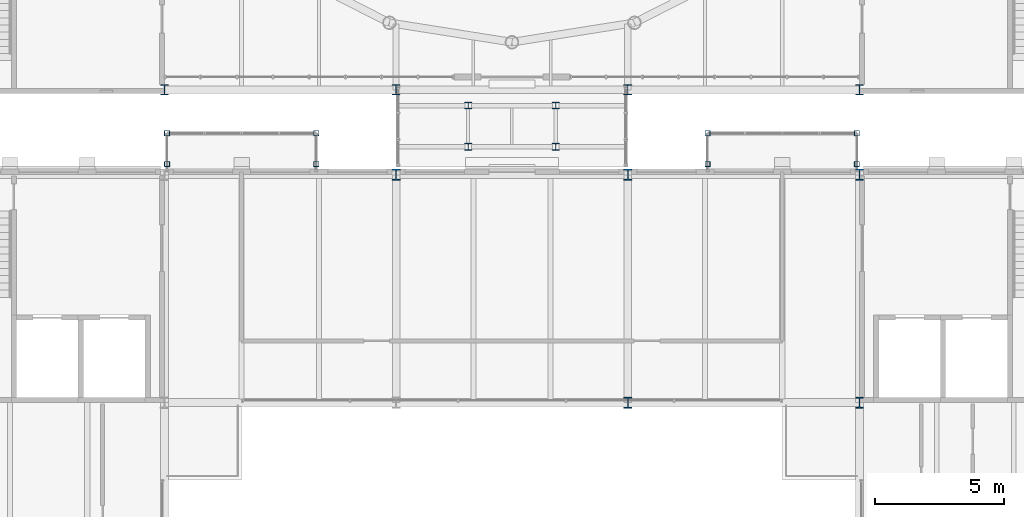
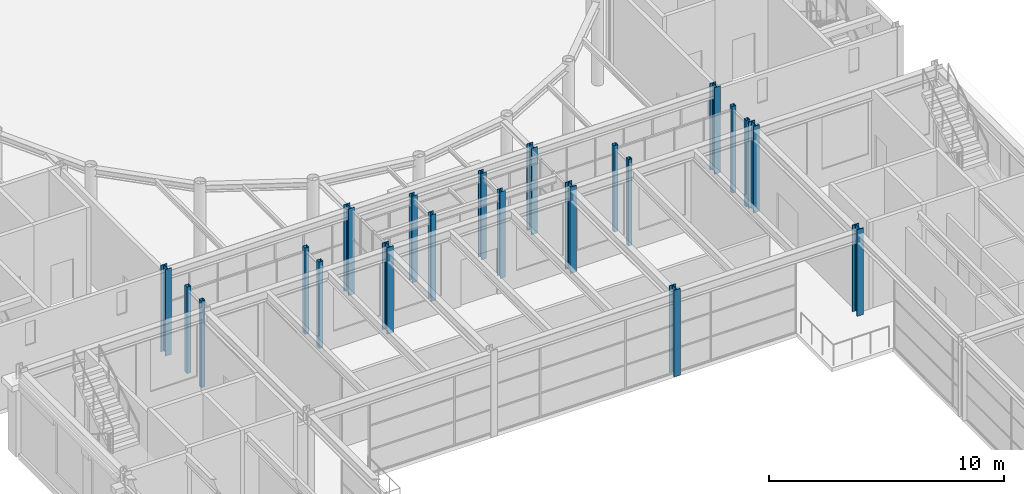
# One storey, part 10 of 149: 21 columns.
"""IFC4 building model written with IfcOpenShell, lengths in metres."""

from ifc_helpers import new_model, si_unit, direction, frame, origin, origin_2d, place, context, subcontext, project, spatial, hollow_rectangle, i_section, extrude, material, material_profile, profile_set, type_object, element, save


model = new_model("IFC4")

# Units and contexts
model_context = context("Model", 3, precision=1e-05, world=origin(), true_north=direction((0.0, 1.0)))
body_context = subcontext(model_context, "Body", "Model", "MODEL_VIEW")
ifc_project = project(units=[si_unit("LENGTHUNIT", "METRE"), si_unit("AREAUNIT", "SQUARE_METRE"), si_unit("VOLUMEUNIT", "CUBIC_METRE"), si_unit("PLANEANGLEUNIT", "RADIAN"), si_unit("MASSUNIT", "GRAM", prefix="KILO")], contexts=[model_context])

# Site, building, storey
site_placement = place(None, origin())
site = spatial("IfcSite", under=ifc_project, at=site_placement, CompositionType="ELEMENT")
building_placement = place(site_placement, origin())
building = spatial("IfcBuilding", under=site, at=building_placement, Name="Kallimachos Central Library", CompositionType="ELEMENT")
storey_placement = place(building_placement, frame((0.0, 0.0, 9.89990234375)))
storey = spatial("IfcBuildingStorey", under=building, at=storey_placement, Name="L02", CompositionType="ELEMENT", Elevation=9.89990234375)

# Columns
ifc_material_1 = material(Name="Steel S355J2", Category="steel")
ifc_material_profile_1 = material_profile(ifc_material_1, i_section(OverallWidth=0.260009765625, OverallDepth=0.260009765625, WebThickness=0.010009765625, FlangeThickness=0.017578125, FilletRadius=0.02392578125, at=origin_2d()), Name="HEB 260")
ifc_profile_set_1 = profile_set([ifc_material_profile_1], Name="Steel S355J2")
column_type_1 = type_object("IfcColumnType", Name="HEB 260 column", PredefinedType="COLUMN", material=ifc_profile_set_1)
for number, where, z_axis, x_axis, name in (
    (1, (86.300048828125, 84.9375, 0.0), (0.0, 0.0, 1.0), (1.0, 0.0, 0.0), "Reading Link column"),
    (2, (86.300048828125, 86.53759765625, 0.0), (0.0, 0.0, 1.0), (1.0, 0.0, 0.0), "Reading Link column"),
    (3, (89.699951171875, 84.9375, 0.0), (0.0, 0.0, 1.0), (1.0, 0.0, 0.0), "Reading Link column"),
    (4, (89.699951171875, 86.53759765625, 0.0), (0.0, 0.0, 1.0), (1.0, 0.0, 0.0), "Reading Link column"),
):
    element("IfcColumn", number, at=place(storey_placement, frame(where, z_axis=z_axis, x_axis=x_axis)), inside=storey, type_object=column_type_1, Name=name, PredefinedType="COLUMN", context=body_context, shape_type="SweptSolid", body=[
        extrude(i_section(OverallWidth=0.260009765625, OverallDepth=0.260009765625, WebThickness=0.010009765625, FlangeThickness=0.017578125, FilletRadius=0.02392578125, at=origin_2d()), origin(), (0.0, 0.0, 1.0), 4.5),
    ])
ifc_material_2 = material(Name="Steel S355J2", Category="steel")
ifc_material_profile_2 = material_profile(ifc_material_2, i_section(OverallWidth=0.300048828125, OverallDepth=0.39990234375, WebThickness=0.013427734375, FlangeThickness=0.02392578125, FilletRadius=0.027099609375, at=origin_2d()), Name="HEB 400")
ifc_profile_set_2 = profile_set([ifc_material_profile_2], Name="Steel S355J2")
column_type_2 = type_object("IfcColumnType", Name="HEB 400 column", PredefinedType="COLUMN", material=ifc_profile_set_2)
for number, where, z_axis, x_axis, name in (
    (5, (74.5, 87.14990234375, 0.0), (0.0, 0.0, 1.0), (1.0, 0.0, 0.0), "V1-COL-L02-002"),
    (6, (83.5, 87.14990234375, 0.0), (0.0, 0.0, 1.0), (1.0, 0.0, 0.0), "V1-COL-L02-003"),
    (7, (92.5, 87.14990234375, 0.0), (0.0, 0.0, 1.0), (1.0, 0.0, 0.0), "V1-COL-L02-004"),
    (8, (101.5, 87.14990234375, 0.0), (0.0, 0.0, 1.0), (1.0, 0.0, 0.0), "V1-COL-L02-005"),
):
    element("IfcColumn", number, at=place(storey_placement, frame(where, z_axis=z_axis, x_axis=x_axis)), inside=storey, type_object=column_type_2, Name=name, PredefinedType="COLUMN", context=body_context, shape_type="SweptSolid", body=[
        extrude(i_section(OverallWidth=0.300048828125, OverallDepth=0.39990234375, WebThickness=0.013427734375, FlangeThickness=0.02392578125, FilletRadius=0.027099609375, at=origin_2d()), origin(), (0.0, 0.0, 1.0), 4.5),
    ])
ifc_material_3 = material(Name="Steel S355J2", Category="steel")
ifc_material_profile_3 = material_profile(ifc_material_3, i_section(OverallWidth=0.306884765625, OverallDepth=0.431884765625, WebThickness=0.02099609375, FlangeThickness=0.0400390625, FilletRadius=0.027099609375, at=origin_2d()), Name="HEM 400")
ifc_profile_set_3 = profile_set([ifc_material_profile_3], Name="Steel S355J2")
column_type_3 = type_object("IfcColumnType", Name="HEM 400 column", PredefinedType="COLUMN", material=ifc_profile_set_3)
for number, where, z_axis, x_axis, name in (
    (9, (101.5, 75.0, 0.0), (0.0, 0.0, 1.0), (1.0, 0.0, 0.0), "V4-COL-L02-009"),
    (10, (92.5, 75.0, 0.0), (0.0, 0.0, 1.0), (1.0, 0.0, 0.0), "V4-COL-L02-014"),
    (11, (101.5, 83.85009765625, 0.0), (0.0, 0.0, 1.0), (1.0, 0.0, 0.0), "V4-COL-L02-015"),
    (12, (83.5, 83.85009765625, 0.0), (0.0, 0.0, 1.0), (1.0, 0.0, 0.0), "V4-COL-L02-019"),
    (13, (92.5, 83.85009765625, 0.0), (0.0, 0.0, 1.0), (1.0, 0.0, 0.0), "V4-COL-L02-020"),
):
    element("IfcColumn", number, at=place(storey_placement, frame(where, z_axis=z_axis, x_axis=x_axis)), inside=storey, type_object=column_type_3, Name=name, PredefinedType="COLUMN", context=body_context, shape_type="SweptSolid", body=[
        extrude(i_section(OverallWidth=0.306884765625, OverallDepth=0.431884765625, WebThickness=0.02099609375, FlangeThickness=0.0400390625, FilletRadius=0.027099609375, at=origin_2d()), origin(), (0.0, 0.0, 1.0), 4.5),
    ])
ifc_material_4 = material(Name="Steel S355J2H", Category="steel")
ifc_material_profile_4 = material_profile(ifc_material_4, hollow_rectangle(XDim=0.199951171875, YDim=0.199951171875, WallThickness=0.010009765625, InnerFilletRadius=0.010009765625, OuterFilletRadius=0.014892578125, at=origin_2d()), Name="SHS 200x200x10")
ifc_profile_set_4 = profile_set([ifc_material_profile_4], Name="Steel S355J2H")
column_type_4 = type_object("IfcColumnType", Name="SHS 200x200x10 column", PredefinedType="COLUMN", material=ifc_profile_set_4)
for number, where, z_axis, x_axis, name in (
    (14, (74.60009765625, 84.26611328125, 0.0), (0.0, 0.0, 1.0), (1.0, 0.0, 0.0), "Tribune bay N1 column 1"),
    (15, (80.39990234375, 84.26611328125, 0.0), (0.0, 0.0, 1.0), (1.0, 0.0, 0.0), "Tribune bay N1 column 2"),
    (16, (74.60009765625, 85.466064453125, 0.0), (0.0, 0.0, 1.0), (1.0, 0.0, 0.0), "Tribune bay N1 column 3"),
    (17, (80.39990234375, 85.466064453125, 0.0), (0.0, 0.0, 1.0), (1.0, 0.0, 0.0), "Tribune bay N1 column 4"),
    (18, (95.60009765625, 84.26611328125, 0.0), (0.0, 0.0, 1.0), (1.0, 0.0, 0.0), "Tribune bay N2 column 1"),
    (19, (101.39990234375, 84.26611328125, 0.0), (0.0, 0.0, 1.0), (1.0, 0.0, 0.0), "Tribune bay N2 column 2"),
    (20, (95.60009765625, 85.466064453125, 0.0), (0.0, 0.0, 1.0), (1.0, 0.0, 0.0), "Tribune bay N2 column 3"),
    (21, (101.39990234375, 85.466064453125, 0.0), (0.0, 0.0, 1.0), (1.0, 0.0, 0.0), "Tribune bay N2 column 4"),
):
    element("IfcColumn", number, at=place(storey_placement, frame(where, z_axis=z_axis, x_axis=x_axis)), inside=storey, type_object=column_type_4, Name=name, PredefinedType="COLUMN", context=body_context, shape_type="SweptSolid", body=[
        extrude(hollow_rectangle(XDim=0.199951171875, YDim=0.199951171875, WallThickness=0.010009765625, InnerFilletRadius=0.010009765625, OuterFilletRadius=0.014892578125, at=origin_2d()), origin(), (0.0, 0.0, 1.0), 4.5),
    ])

save(model, "model.ifc")
